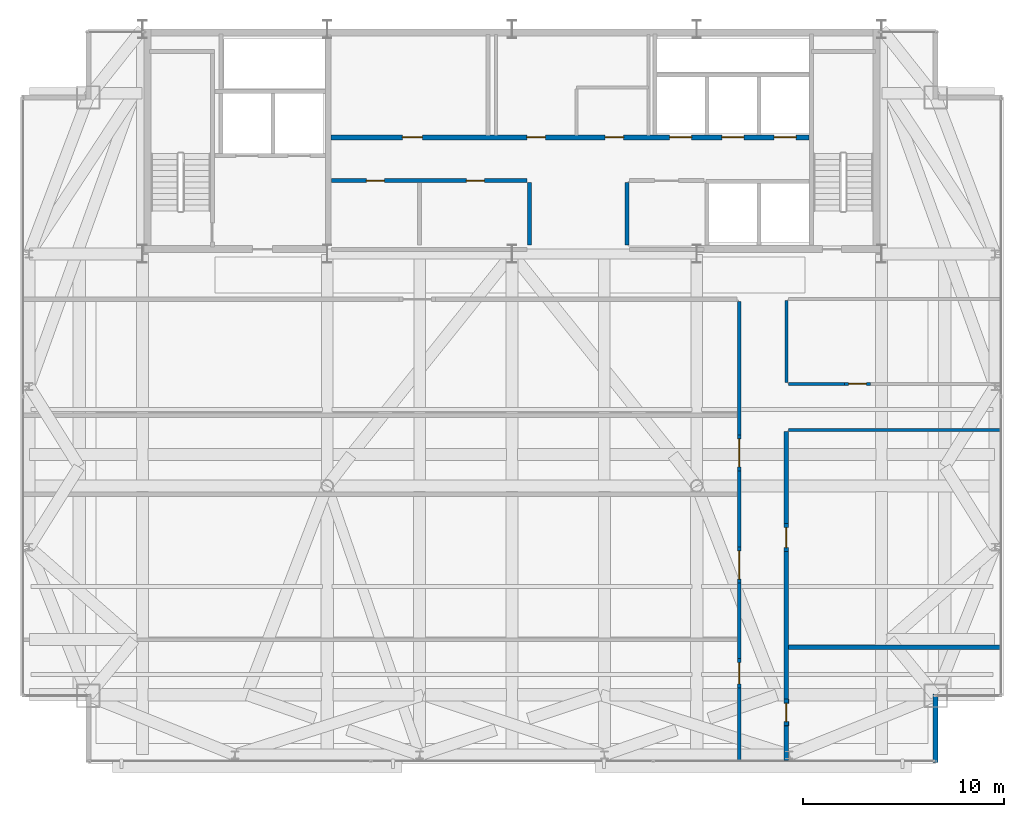
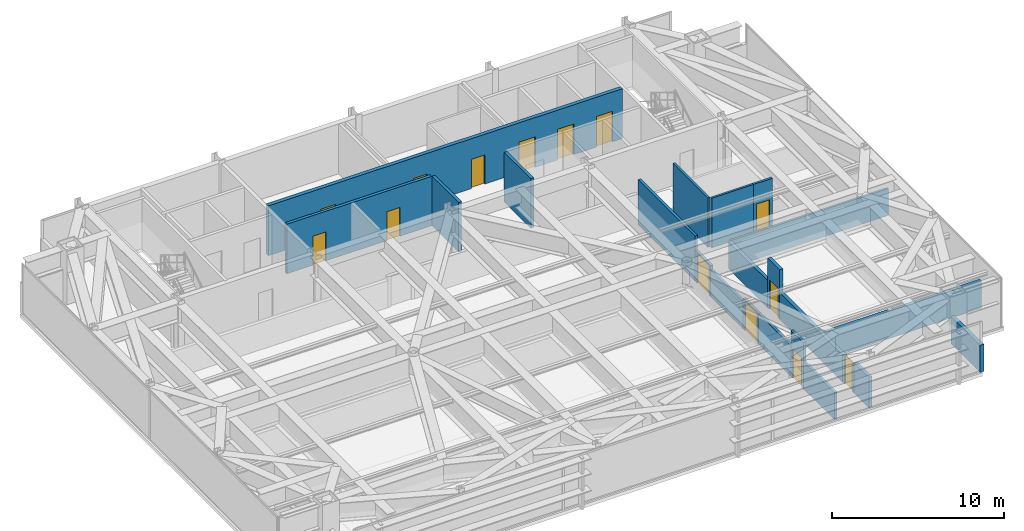
# One storey, part 21 of 23: 22 walls, 14 doors, 14 openings.
"""IFC4 building model written with IfcOpenShell, lengths in metres."""

from ifc_helpers import new_model, si_unit, direction, frame, frame_2d, origin, place, context, subcontext, project, spatial, rectangle, extrude, source, transform, mapped, material, layer, layer_set, type_object, type_shapes, element, fill, save


model = new_model("IFC4")

# Units and contexts
model_context = context("Model", 3, precision=1e-05, world=origin(), true_north=direction((0.0, 1.0)))
body_context = subcontext(model_context, "Body", "Model", "MODEL_VIEW")
ifc_project = project(units=[si_unit("LENGTHUNIT", "METRE"), si_unit("AREAUNIT", "SQUARE_METRE"), si_unit("VOLUMEUNIT", "CUBIC_METRE"), si_unit("PLANEANGLEUNIT", "RADIAN"), si_unit("MASSUNIT", "GRAM", prefix="KILO")], contexts=[model_context])

# Site, building, storey
site_placement = place(None, origin())
site = spatial("IfcSite", under=ifc_project, at=site_placement, CompositionType="ELEMENT")
building_placement = place(site_placement, origin())
building = spatial("IfcBuilding", under=site, at=building_placement, Name="Varnel Quay Broadcast Tower", CompositionType="ELEMENT")
storey_placement = place(building_placement, frame((0.0, 0.0, 254.60009765625)))
storey = spatial("IfcBuildingStorey", under=building, at=storey_placement, Name="L63", CompositionType="ELEMENT", Elevation=254.60009765625)

# Wall, openings, doors
ifc_material_1 = material(Name="Concrete CSA A23.3 C50/60", Category="concrete")
ifc_layer_1 = layer(ifc_material_1, 0.25, Name="Concrete CSA A23.3 C50/60")
ifc_layer_set_1 = layer_set([ifc_layer_1], Name="Concrete CSA A23.3 C50/60")
wall_type_1 = type_object("IfcWallType", Name="Wall_CoreShaftShear250", PredefinedType="SHEAR", material=ifc_layer_set_1)
wall_1_placement = place(storey_placement, frame((24.97998046875, 41.39990234375, 0.0), z_axis=(0.0, 0.0, 1.0), x_axis=(1.0, 0.0, 0.0)))
wall_1 = element("IfcWall", 1, at=wall_1_placement, inside=storey, type_object=wall_type_1, Name="L63 North Lift Bank & Reclaimed Suite Wall", PredefinedType="SHEAR", context=body_context, shape_type="SweptSolid", body=[
    extrude(rectangle(XDim=23.820068359375, YDim=0.25, at=frame_2d((11.91015625, 0.0))), origin(), (0.0, 0.0, 1.0), 3.5498046875),
])
opening_1_placement = place(wall_1_placement, frame((16.8701171875, 0.0, 0.0)))
opening_1 = element("IfcOpeningElement", 2, at=opening_1_placement, cuts=wall_1, Name="Opening LD-L63-PH-01", PredefinedType="OPENING", context=body_context, shape_type="SweptSolid", body=[
    extrude(rectangle(XDim=1.10009765625, YDim=2.179931640625, at=frame_2d((0.550048828125, 1.08984375))), frame((0.0, 0.135009765625, 0.0), z_axis=(0.0, -1.0, 0.0), x_axis=(1.0, 0.0, 0.0)), (0.0, 0.0, 1.0), 0.27001953125),
])
opening_2_placement = place(wall_1_placement, frame((19.469970703125, 0.0, 0.0)))
opening_2 = element("IfcOpeningElement", 3, at=opening_2_placement, cuts=wall_1, Name="Opening LD-L63-PH-02", PredefinedType="OPENING", context=body_context, shape_type="SweptSolid", body=[
    extrude(rectangle(XDim=1.10009765625, YDim=2.179931640625, at=frame_2d((0.550048828125, 1.08984375))), frame((0.0, 0.135009765625, 0.0), z_axis=(0.0, -1.0, 0.0), x_axis=(1.0, 0.0, 0.0)), (0.0, 0.0, 1.0), 0.27001953125),
])
opening_3_placement = place(wall_1_placement, frame((22.070068359375, 0.0, 0.0)))
opening_3 = element("IfcOpeningElement", 4, at=opening_3_placement, cuts=wall_1, Name="Opening LD-L63-PH-03", PredefinedType="OPENING", context=body_context, shape_type="SweptSolid", body=[
    extrude(rectangle(XDim=1.10009765625, YDim=2.179931640625, at=frame_2d((0.550048828125, 1.08984375))), frame((0.0, 0.135009765625, 0.0), z_axis=(0.0, -1.0, 0.0), x_axis=(1.0, 0.0, 0.0)), (0.0, 0.0, 1.0), 0.27001953125),
])
opening_4_placement = place(wall_1_placement, frame((3.56005859375, 0.0, 0.0)))
opening_4 = element("IfcOpeningElement", 5, at=opening_4_placement, cuts=wall_1, Name="Opening D-L63-RECA1", PredefinedType="OPENING", context=body_context, shape_type="SweptSolid", body=[
    extrude(rectangle(XDim=1.0, YDim=2.080078125, at=frame_2d((0.5, 1.0400390625))), frame((0.0, 0.135009765625, 0.0), z_axis=(0.0, -1.0, 0.0), x_axis=(1.0, 0.0, 0.0)), (0.0, 0.0, 1.0), 0.27001953125),
])
opening_5_placement = place(wall_1_placement, frame((9.760009765625, 0.0, 0.0)))
opening_5 = element("IfcOpeningElement", 6, at=opening_5_placement, cuts=wall_1, Name="Opening D-L63-RECB1", PredefinedType="OPENING", context=body_context, shape_type="SweptSolid", body=[
    extrude(rectangle(XDim=0.919921875, YDim=2.080078125, at=frame_2d((0.4599609375, 1.0400390625))), frame((0.0, 0.135009765625, 0.0), z_axis=(0.0, -1.0, 0.0), x_axis=(1.0, 0.0, 0.0)), (0.0, 0.0, 1.0), 0.27001953125),
])
opening_6_placement = place(wall_1_placement, frame((13.659912109375, 0.0, 0.0)))
opening_6 = element("IfcOpeningElement", 7, at=opening_6_placement, cuts=wall_1, Name="Opening D-L63-RECB2", PredefinedType="OPENING", context=body_context, shape_type="SweptSolid", body=[
    extrude(rectangle(XDim=0.919921875, YDim=2.080078125, at=frame_2d((0.4599609375, 1.0400390625))), frame((0.0, 0.135009765625, 0.0), z_axis=(0.0, -1.0, 0.0), x_axis=(1.0, 0.0, 0.0)), (0.0, 0.0, 1.0), 0.27001953125),
])
ifc_material_2 = material(Name="Brushed Bronze-Stainless Lift Car & Sliding Doors", Category="steel")
door_type_1 = type_object("IfcDoorType", Name="Door_LiftLanding1100", OperationType="SLIDING_TO_LEFT", PredefinedType="DOOR", material=ifc_material_2)
shared_shape_1 = source(origin(), body_context, "Body", "SweptSolid", [
    extrude(rectangle(XDim=1.10009765625, YDim=2.179931640625, at=frame_2d((0.550048828125, 1.08984375))), frame((0.0, 0.02490234375, 0.0), z_axis=(0.0, -1.0, 0.0), x_axis=(1.0, 0.0, 0.0)), (0.0, 0.0, 1.0), 0.050048828125),
])
type_shapes(door_type_1, [shared_shape_1])
door_1_placement = place(opening_1_placement, frame((1.10009765625, 0.0, 0.0), z_axis=(0.0, 0.0, 1.0), x_axis=(-1.0, 0.0, 0.0)))
door_1 = element("IfcDoor", 8, at=door_1_placement, inside=storey, type_object=door_type_1, Name="L63 Lift PH-01 Landing Door", OperationType="SLIDING_TO_LEFT", OverallHeight=2.179931640625, OverallWidth=1.10009765625, PredefinedType="DOOR", context=body_context, shape_type="MappedRepresentation", body=[
    mapped(shared_shape_1, transform((0.0, 0.0, 0.0), x_axis=(1.0, 0.0, 0.0), y_axis=(0.0, 1.0, 0.0), z_axis=(0.0, 0.0, 1.0), scale=1.0)),
])
fill(opening_1, door_1)
door_2_placement = place(opening_2_placement, frame((1.10009765625, 0.0, 0.0), z_axis=(0.0, 0.0, 1.0), x_axis=(-1.0, 0.0, 0.0)))
door_2 = element("IfcDoor", 9, at=door_2_placement, inside=storey, type_object=door_type_1, Name="L63 Lift PH-02 Landing Door", OperationType="SLIDING_TO_LEFT", OverallHeight=2.179931640625, OverallWidth=1.10009765625, PredefinedType="DOOR", context=body_context, shape_type="MappedRepresentation", body=[
    mapped(shared_shape_1, transform((0.0, 0.0, 0.0), x_axis=(1.0, 0.0, 0.0), y_axis=(0.0, 1.0, 0.0), z_axis=(0.0, 0.0, 1.0), scale=1.0)),
])
fill(opening_2, door_2)
door_3_placement = place(opening_3_placement, frame((1.10009765625, 0.0, 0.0), z_axis=(0.0, 0.0, 1.0), x_axis=(-1.0, 0.0, 0.0)))
door_3 = element("IfcDoor", 10, at=door_3_placement, inside=storey, type_object=door_type_1, Name="L63 Lift PH-03 Landing Door", OperationType="SLIDING_TO_LEFT", OverallHeight=2.179931640625, OverallWidth=1.10009765625, PredefinedType="DOOR", context=body_context, shape_type="MappedRepresentation", body=[
    mapped(shared_shape_1, transform((0.0, 0.0, 0.0), x_axis=(1.0, 0.0, 0.0), y_axis=(0.0, 1.0, 0.0), z_axis=(0.0, 0.0, 1.0), scale=1.0)),
])
fill(opening_3, door_3)
ifc_material_3 = material(Name="Insulated Fire-Rated Hollow Steel Door", Category="steel")
door_type_2 = type_object("IfcDoorType", Name="Door_FireLobby1000", OperationType="NOTDEFINED", PredefinedType="DOOR", material=ifc_material_3)
shared_shape_2 = source(origin(), body_context, "Body", "SweptSolid", [
    extrude(rectangle(XDim=1.0, YDim=2.080078125, at=frame_2d((0.5, 1.0400390625))), frame((0.0, 0.02490234375, 0.0), z_axis=(0.0, -1.0, 0.0), x_axis=(1.0, 0.0, 0.0)), (0.0, 0.0, 1.0), 0.050048828125),
])
type_shapes(door_type_2, [shared_shape_2])
door_4_placement = place(opening_4_placement, origin())
door_4 = element("IfcDoor", 11, at=door_4_placement, inside=storey, type_object=door_type_2, Name="L63 Broadcast Ingest Server Hall Door", OperationType="SINGLE_SWING_RIGHT", OverallHeight=2.080078125, OverallWidth=1.0, PredefinedType="DOOR", context=body_context, shape_type="MappedRepresentation", body=[
    mapped(shared_shape_2, transform((0.0, 0.0, 0.0), x_axis=(1.0, 0.0, 0.0), y_axis=(0.0, 1.0, 0.0), z_axis=(0.0, 0.0, 1.0), scale=1.0)),
])
fill(opening_4, door_4)
ifc_material_4 = material(Name="Solid-Core Fire-Rated Acoustic Oak Veneer Door", Category="wood")
door_type_3 = type_object("IfcDoorType", Name="Door_Office920", OperationType="NOTDEFINED", PredefinedType="DOOR", material=ifc_material_4)
shared_shape_3 = source(origin(), body_context, "Body", "SweptSolid", [
    extrude(rectangle(XDim=0.919921875, YDim=2.080078125, at=frame_2d((0.4599609375, 1.0400390625))), frame((0.0, 0.02490234375, 0.0), z_axis=(0.0, -1.0, 0.0), x_axis=(1.0, 0.0, 0.0)), (0.0, 0.0, 1.0), 0.050048828125),
])
door_5_placement = place(opening_5_placement, origin())
door_5 = element("IfcDoor", 12, at=door_5_placement, inside=storey, type_object=door_type_3, Name="L63 Acoustic Rack & Patch Suite Door", OperationType="SINGLE_SWING_LEFT", OverallHeight=2.080078125, OverallWidth=0.919921875, PredefinedType="DOOR", context=body_context, shape_type="MappedRepresentation", body=[
    mapped(shared_shape_3, transform((0.0, 0.0, 0.0), x_axis=(1.0, 0.0, 0.0), y_axis=(0.0, 1.0, 0.0), z_axis=(0.0, 0.0, 1.0), scale=1.0)),
])
fill(opening_5, door_5)
door_6_placement = place(opening_6_placement, origin())
door_6 = element("IfcDoor", 13, at=door_6_placement, inside=storey, type_object=door_type_3, Name="L63 Production Tea Pantry Door", OperationType="SINGLE_SWING_RIGHT", OverallHeight=2.080078125, OverallWidth=0.919921875, PredefinedType="DOOR", context=body_context, shape_type="MappedRepresentation", body=[
    mapped(shared_shape_3, transform((0.0, 0.0, 0.0), x_axis=(1.0, 0.0, 0.0), y_axis=(0.0, 1.0, 0.0), z_axis=(0.0, 0.0, 1.0), scale=1.0)),
])
fill(opening_6, door_6)

# Walls
ifc_material_5 = material(Name="Precast Architectural Concrete C40/50", Category="concrete")
ifc_layer_2 = layer(ifc_material_5, 0.25, Name="Precast Architectural Concrete C40/50")
ifc_layer_set_2 = layer_set([ifc_layer_2], Name="Precast Architectural Concrete C40/50")
wall_type_2 = type_object("IfcWallType", Name="Wall_ExtTerrace250", PredefinedType="SOLIDWALL", material=ifc_layer_set_2)
wall_2_placement = place(storey_placement, frame((55.10009765625, 10.280029296875, 0.0), z_axis=(0.0, 0.0, 1.0), x_axis=(0.0, 1.0, 0.0)))
element("IfcWall", 14, at=wall_2_placement, inside=storey, type_object=wall_type_2, Name="L63 Mega-Column Notch Cladding Wall NSE2", PredefinedType="SOLIDWALL", context=body_context, shape_type="SweptSolid", body=[
    extrude(rectangle(XDim=3.39990234375, YDim=0.25, at=frame_2d((1.699951171875, 0.0))), origin(), (0.0, 0.0, 1.0), 1.9248046875),
])
ifc_material_6 = material(Name="Concrete Blockwork Fire Enclosure C40/50", Category="masonry")
ifc_layer_3 = layer(ifc_material_6, 0.199951171875, Name="Concrete Blockwork Fire Enclosure C40/50")
ifc_layer_set_3 = layer_set([ifc_layer_3], Name="Concrete Blockwork Fire Enclosure C40/50")
wall_type_3 = type_object("IfcWallType", Name="Wall_FireShaft200", PredefinedType="SOLIDWALL", material=ifc_layer_set_3)
wall_3_placement = place(storey_placement, frame((39.72509765625, 36.050048828125, 0.0), z_axis=(0.0, 0.0, 1.0), x_axis=(0.0, 1.0, 0.0)))
element("IfcWall", 15, at=wall_3_placement, inside=storey, type_object=wall_type_3, Name="L63 Electrical Sub-Distribution Closet Partition 7", PredefinedType="SOLIDWALL", context=body_context, shape_type="SweptSolid", body=[
    extrude(rectangle(XDim=3.099853515625, YDim=0.199951171875, at=frame_2d((1.5498046875, 0.0))), origin(), (0.0, 0.0, 1.0), 3.52978515625),
])
ifc_material_7 = material(Name="Steel-Stud Fire-Rated Acoustic Gypsum Partition Assembly", Category="steel")
ifc_layer_4 = layer(ifc_material_7, 0.139892578125, Name="Steel-Stud Fire-Rated Acoustic Gypsum Partition Assembly")
ifc_layer_set_4 = layer_set([ifc_layer_4], Name="Steel-Stud Fire-Rated Acoustic Gypsum Partition Assembly")
wall_type_4 = type_object("IfcWallType", Name="Wall_Partition140", PredefinedType="PARTITIONING", material=ifc_layer_set_4)
wall_4_placement = place(storey_placement, frame((47.760009765625, 26.830078125, 0.0), z_axis=(0.0, 0.0, 1.0), x_axis=(1.0, 0.0, 0.0)))
element("IfcWall", 16, at=wall_4_placement, inside=storey, type_object=wall_type_4, Name="L63 Talent Lounge 6 Partition 27", PredefinedType="PARTITIONING", context=body_context, shape_type="SweptSolid", body=[
    extrude(rectangle(XDim=10.56005859375, YDim=0.139892578125, at=frame_2d((5.280029296875, 0.0))), origin(), (0.0, 0.0, 1.0), 1.9248046875),
])
ifc_layer_5 = layer(ifc_material_7, 0.14990234375, Name="Steel-Stud Fire-Rated Acoustic Gypsum Partition Assembly")
ifc_layer_set_5 = layer_set([ifc_layer_5], Name="Steel-Stud Fire-Rated Acoustic Gypsum Partition Assembly")
wall_type_5 = type_object("IfcWallType", Name="Wall_Partition150", PredefinedType="PARTITIONING", material=ifc_layer_set_5)
wall_5_placement = place(storey_placement, frame((47.760009765625, 29.1298828125, 0.0), z_axis=(0.0, 0.0, 1.0), x_axis=(1.0, 0.0, 0.0)))
element("IfcWall", 17, at=wall_5_placement, inside=storey, type_object=wall_type_5, Name="L63 Pantry Niche 7 Partition 28", PredefinedType="PARTITIONING", context=body_context, shape_type="SweptSolid", body=[
    extrude(rectangle(XDim=2.804931640625, YDim=0.14990234375, at=frame_2d((1.40234375, 0.0))), origin(), (0.0, 0.0, 1.0), 3.52978515625),
])

# Wall, opening, door
wall_6_placement = place(storey_placement, frame((50.56494140625, 29.1298828125, 0.0), z_axis=(0.0, 0.0, 1.0), x_axis=(1.0, 0.0, 0.0)))
wall_6 = element("IfcWall", 18, at=wall_6_placement, inside=storey, type_object=wall_type_5, Name="L63 Pantry Niche 7 Door Partition 29", PredefinedType="PARTITIONING", context=body_context, shape_type="SweptSolid", body=[
    extrude(rectangle(XDim=1.280029296875, YDim=0.14990234375, at=frame_2d((0.64013671875, 0.0))), origin(), (0.0, 0.0, 1.0), 3.52978515625),
])
opening_7_placement = place(wall_6_placement, frame((0.199951171875, 0.0, 0.0)))
opening_7 = element("IfcOpeningElement", 19, at=opening_7_placement, cuts=wall_6, Name="Opening D-L63-10", PredefinedType="OPENING", context=body_context, shape_type="SweptSolid", body=[
    extrude(rectangle(XDim=0.8798828125, YDim=2.06005859375, at=frame_2d((0.43994140625, 1.030029296875))), frame((0.0, 0.0849609375, 0.0), z_axis=(0.0, -1.0, 0.0), x_axis=(1.0, 0.0, 0.0)), (0.0, 0.0, 1.0), 0.169921875),
])
door_type_4 = type_object("IfcDoorType", Name="Door_Booth880", OperationType="NOTDEFINED", PredefinedType="DOOR", material=ifc_material_4)
shared_shape_4 = source(origin(), body_context, "Body", "SweptSolid", [
    extrude(rectangle(XDim=0.8798828125, YDim=2.06005859375, at=frame_2d((0.43994140625, 1.030029296875))), frame((0.0, 0.02490234375, 0.0), z_axis=(0.0, -1.0, 0.0), x_axis=(1.0, 0.0, 0.0)), (0.0, 0.0, 1.0), 0.050048828125),
])
type_shapes(door_type_4, [shared_shape_4])
door_7_placement = place(opening_7_placement, origin())
door_7 = element("IfcDoor", 20, at=door_7_placement, inside=storey, type_object=door_type_4, Name="L63 Pantry Niche 7 Door D-L63-10", OperationType="SINGLE_SWING_LEFT", OverallHeight=2.06005859375, OverallWidth=0.8798828125, PredefinedType="DOOR", context=body_context, shape_type="MappedRepresentation", body=[
    mapped(shared_shape_4, transform((0.0, 0.0, 0.0), x_axis=(1.0, 0.0, 0.0), y_axis=(0.0, 1.0, 0.0), z_axis=(0.0, 0.0, 1.0), scale=1.0)),
])
fill(opening_7, door_7)

# Walls
wall_7_placement = place(storey_placement, frame((47.659912109375, 29.205078125, 0.0), z_axis=(0.0, 0.0, 1.0), x_axis=(0.0, 1.0, 0.0)))
element("IfcWall", 21, at=wall_7_placement, inside=storey, type_object=wall_type_5, Name="L63 Pantry Niche 7 Partition 32", PredefinedType="PARTITIONING", context=body_context, shape_type="SweptSolid", body=[
    extrude(rectangle(XDim=4.06982421875, YDim=0.14990234375, at=frame_2d((2.034912109375, 0.0))), origin(), (0.0, 0.0, 1.0), 3.52978515625),
])
ifc_layer_6 = layer(ifc_material_7, 0.175048828125, Name="Steel-Stud Fire-Rated Acoustic Gypsum Partition Assembly")
ifc_layer_set_6 = layer_set([ifc_layer_6], Name="Steel-Stud Fire-Rated Acoustic Gypsum Partition Assembly")
wall_type_6 = type_object("IfcWallType", Name="Wall_Partition175", PredefinedType="PARTITIONING", material=ifc_layer_set_6)
wall_8_placement = place(storey_placement, frame((45.31005859375, 10.3798828125, 0.0), z_axis=(0.0, 0.0, 1.0), x_axis=(0.0, 1.0, 0.0)))
element("IfcWall", 22, at=wall_8_placement, inside=storey, type_object=wall_type_6, Name="L63 Broadcast Seminar Room 1 Partition 8", PredefinedType="PARTITIONING", context=body_context, shape_type="SweptSolid", body=[
    extrude(rectangle(XDim=3.615234375, YDim=0.175048828125, at=frame_2d((1.8076171875, 0.0))), origin(), (0.0, 0.0, 1.0), 1.9248046875),
])

# Wall, opening, door
wall_9_placement = place(storey_placement, frame((45.31005859375, 13.9951171875, 0.0), z_axis=(0.0, 0.0, 1.0), x_axis=(0.0, 1.0, 0.0)))
wall_9 = element("IfcWall", 23, at=wall_9_placement, inside=storey, type_object=wall_type_6, Name="L63 Broadcast Seminar Room 1 Door Partition 9", PredefinedType="PARTITIONING", context=body_context, shape_type="SweptSolid", body=[
    extrude(rectangle(XDim=1.449951171875, YDim=0.175048828125, at=frame_2d((0.72509765625, 0.0))), origin(), (0.0, 0.0, 1.0), 3.27783203125),
])
opening_8_placement = place(wall_9_placement, frame((0.199951171875, 0.0, 0.0)))
opening_8 = element("IfcOpeningElement", 24, at=opening_8_placement, cuts=wall_9, Name="Opening D-L63-04", PredefinedType="OPENING", context=body_context, shape_type="SweptSolid", body=[
    extrude(rectangle(XDim=1.050048828125, YDim=2.10009765625, at=frame_2d((0.52490234375, 1.050048828125))), frame((0.0, 0.09765625, 0.0), z_axis=(0.0, -1.0, 0.0), x_axis=(1.0, 0.0, 0.0)), (0.0, 0.0, 1.0), 0.195068359375),
])
door_type_5 = type_object("IfcDoorType", Name="Door_Meeting1050", OperationType="NOTDEFINED", PredefinedType="DOOR", material=ifc_material_4)
shared_shape_5 = source(origin(), body_context, "Body", "SweptSolid", [
    extrude(rectangle(XDim=1.050048828125, YDim=2.10009765625, at=frame_2d((0.52490234375, 1.050048828125))), frame((0.0, 0.02490234375, 0.0), z_axis=(0.0, -1.0, 0.0), x_axis=(1.0, 0.0, 0.0)), (0.0, 0.0, 1.0), 0.050048828125),
])
type_shapes(door_type_5, [shared_shape_5])
door_8_placement = place(opening_8_placement, origin())
door_8 = element("IfcDoor", 25, at=door_8_placement, inside=storey, type_object=door_type_5, Name="L63 Broadcast Seminar Room 1 Door D-L63-04", OperationType="SINGLE_SWING_RIGHT", OverallHeight=2.10009765625, OverallWidth=1.050048828125, PredefinedType="DOOR", context=body_context, shape_type="MappedRepresentation", body=[
    mapped(shared_shape_5, transform((0.0, 0.0, 0.0), x_axis=(1.0, 0.0, 0.0), y_axis=(0.0, 1.0, 0.0), z_axis=(0.0, 0.0, 1.0), scale=1.0)),
])
fill(opening_8, door_8)

# Wall
wall_10_placement = place(storey_placement, frame((45.31005859375, 15.445068359375, 0.0), z_axis=(0.0, 0.0, 1.0), x_axis=(0.0, 1.0, 0.0)))
element("IfcWall", 26, at=wall_10_placement, inside=storey, type_object=wall_type_6, Name="L63 Broadcast Seminar Room 1 Partition 10", PredefinedType="PARTITIONING", context=body_context, shape_type="SweptSolid", body=[
    extrude(rectangle(XDim=3.764892578125, YDim=0.175048828125, at=frame_2d((1.88232421875, 0.0))), origin(), (0.0, 0.0, 1.0), 2.19482421875),
])

# Wall, opening, door
wall_11_placement = place(storey_placement, frame((45.31005859375, 19.2099609375, 0.0), z_axis=(0.0, 0.0, 1.0), x_axis=(0.0, 1.0, 0.0)))
wall_11 = element("IfcWall", 27, at=wall_11_placement, inside=storey, type_object=wall_type_6, Name="L63 Podcast Recording Studio 2 Door Partition 11", PredefinedType="PARTITIONING", context=body_context, shape_type="SweptSolid", body=[
    extrude(rectangle(XDim=1.800048828125, YDim=0.175048828125, at=frame_2d((0.89990234375, 0.0))), origin(), (0.0, 0.0, 1.0), 2.19482421875),
])
opening_9_placement = place(wall_11_placement, frame((0.199951171875, 0.0, 0.0)))
opening_9 = element("IfcOpeningElement", 28, at=opening_9_placement, cuts=wall_11, Name="Opening D-L63-05", PredefinedType="OPENING", context=body_context, shape_type="SweptSolid", body=[
    extrude(rectangle(XDim=1.39990234375, YDim=2.1201171875, at=frame_2d((0.699951171875, 1.06005859375))), frame((0.0, 0.09765625, 0.0), z_axis=(0.0, -1.0, 0.0), x_axis=(1.0, 0.0, 0.0)), (0.0, 0.0, 1.0), 0.195068359375),
])
door_type_6 = type_object("IfcDoorType", Name="Door_Gallery1400", OperationType="DOUBLE_DOOR_SINGLE_SWING", PredefinedType="DOOR", material=ifc_material_4)
shared_shape_6 = source(origin(), body_context, "Body", "SweptSolid", [
    extrude(rectangle(XDim=1.39990234375, YDim=2.1201171875, at=frame_2d((0.699951171875, 1.06005859375))), frame((0.0, 0.02490234375, 0.0), z_axis=(0.0, -1.0, 0.0), x_axis=(1.0, 0.0, 0.0)), (0.0, 0.0, 1.0), 0.050048828125),
])
type_shapes(door_type_6, [shared_shape_6])
door_9_placement = place(opening_9_placement, origin())
door_9 = element("IfcDoor", 29, at=door_9_placement, inside=storey, type_object=door_type_6, Name="L63 Podcast Recording Studio 2 Door D-L63-05", OperationType="DOUBLE_DOOR_SINGLE_SWING", OverallHeight=2.1201171875, OverallWidth=1.39990234375, PredefinedType="DOOR", context=body_context, shape_type="MappedRepresentation", body=[
    mapped(shared_shape_6, transform((0.0, 0.0, 0.0), x_axis=(1.0, 0.0, 0.0), y_axis=(0.0, 1.0, 0.0), z_axis=(0.0, 0.0, 1.0), scale=1.0)),
])
fill(opening_9, door_9)

# Wall
wall_12_placement = place(storey_placement, frame((45.31005859375, 21.010009765625, 0.0), z_axis=(0.0, 0.0, 1.0), x_axis=(0.0, 1.0, 0.0)))
element("IfcWall", 30, at=wall_12_placement, inside=storey, type_object=wall_type_6, Name="L63 Broadcast Seminar Room 1 Partition 12", PredefinedType="PARTITIONING", context=body_context, shape_type="SweptSolid", body=[
    extrude(rectangle(XDim=3.784912109375, YDim=0.175048828125, at=frame_2d((1.892578125, 0.0))), origin(), (0.0, 0.0, 1.0), 1.9248046875),
])

# Wall, opening, door
wall_13_placement = place(storey_placement, frame((45.31005859375, 24.794921875, 0.0), z_axis=(0.0, 0.0, 1.0), x_axis=(0.0, 1.0, 0.0)))
wall_13 = element("IfcWall", 31, at=wall_13_placement, inside=storey, type_object=wall_type_6, Name="L63 Foley Sound Studio 3 Door Partition 13", PredefinedType="PARTITIONING", context=body_context, shape_type="SweptSolid", body=[
    extrude(rectangle(XDim=1.800048828125, YDim=0.175048828125, at=frame_2d((0.89990234375, 0.0))), origin(), (0.0, 0.0, 1.0), 2.19482421875),
])
opening_10_placement = place(wall_13_placement, frame((0.199951171875, 0.0, 0.0)))
opening_10 = element("IfcOpeningElement", 32, at=opening_10_placement, cuts=wall_13, Name="Opening D-L63-06", PredefinedType="OPENING", context=body_context, shape_type="SweptSolid", body=[
    extrude(rectangle(XDim=1.39990234375, YDim=2.1201171875, at=frame_2d((0.699951171875, 1.06005859375))), frame((0.0, 0.09765625, 0.0), z_axis=(0.0, -1.0, 0.0), x_axis=(1.0, 0.0, 0.0)), (0.0, 0.0, 1.0), 0.195068359375),
])
door_10_placement = place(opening_10_placement, origin())
door_10 = element("IfcDoor", 33, at=door_10_placement, inside=storey, type_object=door_type_6, Name="L63 Foley Sound Studio 3 Door D-L63-06", OperationType="DOUBLE_DOOR_SINGLE_SWING", OverallHeight=2.1201171875, OverallWidth=1.39990234375, PredefinedType="DOOR", context=body_context, shape_type="MappedRepresentation", body=[
    mapped(shared_shape_6, transform((0.0, 0.0, 0.0), x_axis=(1.0, 0.0, 0.0), y_axis=(0.0, 1.0, 0.0), z_axis=(0.0, 0.0, 1.0), scale=1.0)),
])
fill(opening_10, door_10)

# Walls
wall_14_placement = place(storey_placement, frame((45.31005859375, 26.594970703125, 0.0), z_axis=(0.0, 0.0, 1.0), x_axis=(0.0, 1.0, 0.0)))
element("IfcWall", 34, at=wall_14_placement, inside=storey, type_object=wall_type_6, Name="L63 Broadcast Seminar Room 1 Partition 14", PredefinedType="PARTITIONING", context=body_context, shape_type="SweptSolid", body=[
    extrude(rectangle(XDim=6.64306640625, YDim=0.175048828125, at=frame_2d((3.321533203125, 0.0))), origin(), (0.0, 0.0, 1.0), 3.221923828125),
])
ifc_layer_7 = layer(ifc_material_7, 0.22509765625, Name="Steel-Stud Fire-Rated Acoustic Gypsum Partition Assembly")
ifc_layer_set_7 = layer_set([ifc_layer_7], Name="Steel-Stud Fire-Rated Acoustic Gypsum Partition Assembly")
wall_type_7 = type_object("IfcWallType", Name="Wall_Partition225", PredefinedType="PARTITIONING", material=ifc_layer_set_7)
wall_15_placement = place(storey_placement, frame((47.760009765625, 16.02001953125, 0.0), z_axis=(0.0, 0.0, 1.0), x_axis=(1.0, 0.0, 0.0)))
element("IfcWall", 35, at=wall_15_placement, inside=storey, type_object=wall_type_7, Name="L63 Audio Control Room 5 Partition 21", PredefinedType="PARTITIONING", context=body_context, shape_type="SweptSolid", body=[
    extrude(rectangle(XDim=10.56005859375, YDim=0.22509765625, at=frame_2d((5.280029296875, 0.0))), origin(), (0.0, 0.0, 1.0), 1.9248046875),
])
wall_16_placement = place(storey_placement, frame((47.659912109375, 10.3798828125, 0.0), z_axis=(0.0, 0.0, 1.0), x_axis=(0.0, 1.0, 0.0)))
element("IfcWall", 36, at=wall_16_placement, inside=storey, type_object=wall_type_7, Name="L63 Audio Control Room 5 Partition 22", PredefinedType="PARTITIONING", context=body_context, shape_type="SweptSolid", body=[
    extrude(rectangle(XDim=1.735107421875, YDim=0.22509765625, at=frame_2d((0.86767578125, 0.0))), origin(), (0.0, 0.0, 1.0), 2.19482421875),
])

# Wall, opening, door
wall_17_placement = place(storey_placement, frame((47.659912109375, 12.114990234375, 0.0), z_axis=(0.0, 0.0, 1.0), x_axis=(0.0, 1.0, 0.0)))
wall_17 = element("IfcWall", 37, at=wall_17_placement, inside=storey, type_object=wall_type_7, Name="L63 Audio Control Room 5 Door Partition 23", PredefinedType="PARTITIONING", context=body_context, shape_type="SweptSolid", body=[
    extrude(rectangle(XDim=1.320068359375, YDim=0.22509765625, at=frame_2d((0.66015625, 0.0))), origin(), (0.0, 0.0, 1.0), 1.9248046875),
])
opening_11_placement = place(wall_17_placement, frame((0.199951171875, 0.0, 0.0)))
opening_11 = element("IfcOpeningElement", 38, at=opening_11_placement, cuts=wall_17, Name="Opening D-L63-08", PredefinedType="OPENING", context=body_context, shape_type="SweptSolid", body=[
    extrude(rectangle(XDim=0.919921875, YDim=2.0, at=frame_2d((0.4599609375, 1.0))), frame((0.0, 0.12255859375, 0.0), z_axis=(0.0, -1.0, 0.0), x_axis=(1.0, 0.0, 0.0)), (0.0, 0.0, 1.0), 0.2451171875),
])
shared_shape_7 = source(origin(), body_context, "Body", "SweptSolid", [
    extrude(rectangle(XDim=0.919921875, YDim=2.0, at=frame_2d((0.4599609375, 1.0))), frame((0.0, 0.02490234375, 0.0), z_axis=(0.0, -1.0, 0.0), x_axis=(1.0, 0.0, 0.0)), (0.0, 0.0, 1.0), 0.050048828125),
])
type_shapes(door_type_3, [shared_shape_3, shared_shape_7])
door_11_placement = place(opening_11_placement, frame((0.919921875, 0.0, 0.0), z_axis=(0.0, 0.0, 1.0), x_axis=(-1.0, 0.0, 0.0)))
door_11 = element("IfcDoor", 39, at=door_11_placement, inside=storey, type_object=door_type_3, Name="L63 Audio Control Room 5 Door D-L63-08", OperationType="SINGLE_SWING_LEFT", OverallHeight=2.0, OverallWidth=0.919921875, PredefinedType="DOOR", context=body_context, shape_type="MappedRepresentation", body=[
    mapped(shared_shape_7, transform((0.0, 0.0, 0.0), x_axis=(1.0, 0.0, 0.0), y_axis=(0.0, 1.0, 0.0), z_axis=(0.0, 0.0, 1.0), scale=1.0)),
])
fill(opening_11, door_11)

# Wall
wall_18_placement = place(storey_placement, frame((47.659912109375, 13.43505859375, 0.0), z_axis=(0.0, 0.0, 1.0), x_axis=(0.0, 1.0, 0.0)))
element("IfcWall", 40, at=wall_18_placement, inside=storey, type_object=wall_type_7, Name="L63 Audio Control Room 5 Partition 24", PredefinedType="PARTITIONING", context=body_context, shape_type="SweptSolid", body=[
    extrude(rectangle(XDim=7.33984375, YDim=0.22509765625, at=frame_2d((3.669921875, 0.0))), origin(), (0.0, 0.0, 1.0), 1.9248046875),
])

# Wall, opening, door
wall_19_placement = place(storey_placement, frame((47.659912109375, 20.77490234375, 0.0), z_axis=(0.0, 0.0, 1.0), x_axis=(0.0, 1.0, 0.0)))
wall_19 = element("IfcWall", 41, at=wall_19_placement, inside=storey, type_object=wall_type_7, Name="L63 Talent Lounge 6 Door Partition 25", PredefinedType="PARTITIONING", context=body_context, shape_type="SweptSolid", body=[
    extrude(rectangle(XDim=1.400146484375, YDim=0.22509765625, at=frame_2d((0.7001953125, 0.0))), origin(), (0.0, 0.0, 1.0), 3.52978515625),
])
opening_12_placement = place(wall_19_placement, frame((0.199951171875, 0.0, 0.0)))
opening_12 = element("IfcOpeningElement", 42, at=opening_12_placement, cuts=wall_19, Name="Opening D-L63-09", PredefinedType="OPENING", context=body_context, shape_type="SweptSolid", body=[
    extrude(rectangle(XDim=1.0, YDim=2.10009765625, at=frame_2d((0.5, 1.050048828125))), frame((0.0, 0.12255859375, 0.0), z_axis=(0.0, -1.0, 0.0), x_axis=(1.0, 0.0, 0.0)), (0.0, 0.0, 1.0), 0.2451171875),
])
door_type_7 = type_object("IfcDoorType", Name="Door_Exec1000", OperationType="NOTDEFINED", PredefinedType="DOOR", material=ifc_material_4)
shared_shape_8 = source(origin(), body_context, "Body", "SweptSolid", [
    extrude(rectangle(XDim=1.0, YDim=2.10009765625, at=frame_2d((0.5, 1.050048828125))), frame((0.0, 0.02490234375, 0.0), z_axis=(0.0, -1.0, 0.0), x_axis=(1.0, 0.0, 0.0)), (0.0, 0.0, 1.0), 0.050048828125),
])
type_shapes(door_type_7, [shared_shape_8])
door_12_placement = place(opening_12_placement, frame((1.0, 0.0, 0.0), z_axis=(0.0, 0.0, 1.0), x_axis=(-1.0, 0.0, 0.0)))
door_12 = element("IfcDoor", 43, at=door_12_placement, inside=storey, type_object=door_type_7, Name="L63 Talent Lounge 6 Door D-L63-09", OperationType="SINGLE_SWING_RIGHT", OverallHeight=2.10009765625, OverallWidth=1.0, PredefinedType="DOOR", context=body_context, shape_type="MappedRepresentation", body=[
    mapped(shared_shape_8, transform((0.0, 0.0, 0.0), x_axis=(1.0, 0.0, 0.0), y_axis=(0.0, 1.0, 0.0), z_axis=(0.0, 0.0, 1.0), scale=1.0)),
])
fill(opening_12, door_12)

# Wall
wall_20_placement = place(storey_placement, frame((47.659912109375, 22.175048828125, 0.0), z_axis=(0.0, 0.0, 1.0), x_axis=(0.0, 1.0, 0.0)))
element("IfcWall", 44, at=wall_20_placement, inside=storey, type_object=wall_type_7, Name="L63 Audio Control Room 5 Partition 26", PredefinedType="PARTITIONING", context=body_context, shape_type="SweptSolid", body=[
    extrude(rectangle(XDim=4.5849609375, YDim=0.22509765625, at=frame_2d((2.29248046875, 0.0))), origin(), (0.0, 0.0, 1.0), 1.9248046875),
])

# Wall, openings, doors
ifc_material_8 = material(Name="Fire-Rated Moisture-Resistant Plumbing Chase Partition")
ifc_layer_8 = layer(ifc_material_8, 0.199951171875, Name="Fire-Rated Moisture-Resistant Plumbing Chase Partition")
ifc_layer_set_8 = layer_set([ifc_layer_8], Name="Fire-Rated Moisture-Resistant Plumbing Chase Partition")
wall_type_8 = type_object("IfcWallType", Name="Wall_Plumbing200", PredefinedType="PLUMBINGWALL", material=ifc_layer_set_8)
wall_21_placement = place(storey_placement, frame((25.0, 39.25, 0.0), z_axis=(0.0, 0.0, 1.0), x_axis=(1.0, 0.0, 0.0)))
wall_21 = element("IfcWall", 45, at=wall_21_placement, inside=storey, type_object=wall_type_8, Name="L63 Accessible Washroom Partition 3", PredefinedType="PLUMBINGWALL", context=body_context, shape_type="SweptSolid", body=[
    extrude(rectangle(XDim=9.75, YDim=0.199951171875, at=frame_2d((4.875, 0.0))), origin(), (0.0, 0.0, 1.0), 3.52978515625),
])
opening_13_placement = place(wall_21_placement, frame((1.75, 0.0, 0.0)))
opening_13 = element("IfcOpeningElement", 46, at=opening_13_placement, cuts=wall_21, Name="Opening D-L63-01", PredefinedType="OPENING", context=body_context, shape_type="SweptSolid", body=[
    extrude(rectangle(XDim=0.89990234375, YDim=2.06005859375, at=frame_2d((0.449951171875, 1.030029296875))), frame((0.0, 0.10986328125, 0.0), z_axis=(0.0, -1.0, 0.0), x_axis=(1.0, 0.0, 0.0)), (0.0, 0.0, 1.0), 0.219970703125),
])
opening_14_placement = place(wall_21_placement, frame((6.72509765625, 0.0, 0.0)))
opening_14 = element("IfcOpeningElement", 47, at=opening_14_placement, cuts=wall_21, Name="Opening D-L63-02", PredefinedType="OPENING", context=body_context, shape_type="SweptSolid", body=[
    extrude(rectangle(XDim=0.89990234375, YDim=2.06005859375, at=frame_2d((0.449951171875, 1.030029296875))), frame((0.0, 0.10986328125, 0.0), z_axis=(0.0, -1.0, 0.0), x_axis=(1.0, 0.0, 0.0)), (0.0, 0.0, 1.0), 0.219970703125),
])
door_type_8 = type_object("IfcDoorType", Name="Door_Washroom900", OperationType="NOTDEFINED", PredefinedType="DOOR", material=ifc_material_4)
shared_shape_9 = source(origin(), body_context, "Body", "SweptSolid", [
    extrude(rectangle(XDim=0.89990234375, YDim=2.06005859375, at=frame_2d((0.449951171875, 1.030029296875))), frame((0.0, 0.02490234375, 0.0), z_axis=(0.0, -1.0, 0.0), x_axis=(1.0, 0.0, 0.0)), (0.0, 0.0, 1.0), 0.050048828125),
])
type_shapes(door_type_8, [shared_shape_9])
door_13_placement = place(opening_13_placement, frame((0.89990234375, 0.0, 0.0), z_axis=(0.0, 0.0, 1.0), x_axis=(-1.0, 0.0, 0.0)))
door_13 = element("IfcDoor", 48, at=door_13_placement, inside=storey, type_object=door_type_8, Name="L63 Accessible Washroom Door D-L63-01", OperationType="SINGLE_SWING_LEFT", OverallHeight=2.06005859375, OverallWidth=0.89990234375, PredefinedType="DOOR", context=body_context, shape_type="MappedRepresentation", body=[
    mapped(shared_shape_9, transform((0.0, 0.0, 0.0), x_axis=(1.0, 0.0, 0.0), y_axis=(0.0, 1.0, 0.0), z_axis=(0.0, 0.0, 1.0), scale=1.0)),
])
fill(opening_13, door_13)
door_14_placement = place(opening_14_placement, frame((0.89990234375, 0.0, 0.0), z_axis=(0.0, 0.0, 1.0), x_axis=(-1.0, 0.0, 0.0)))
door_14 = element("IfcDoor", 49, at=door_14_placement, inside=storey, type_object=door_type_8, Name="L63 Staff Washrooms Door D-L63-02", OperationType="SINGLE_SWING_RIGHT", OverallHeight=2.06005859375, OverallWidth=0.89990234375, PredefinedType="DOOR", context=body_context, shape_type="MappedRepresentation", body=[
    mapped(shared_shape_9, transform((0.0, 0.0, 0.0), x_axis=(1.0, 0.0, 0.0), y_axis=(0.0, 1.0, 0.0), z_axis=(0.0, 0.0, 1.0), scale=1.0)),
])
fill(opening_14, door_14)

# Wall
wall_22_placement = place(storey_placement, frame((34.875, 36.050048828125, 0.0), z_axis=(0.0, 0.0, 1.0), x_axis=(0.0, 1.0, 0.0)))
element("IfcWall", 50, at=wall_22_placement, inside=storey, type_object=wall_type_8, Name="L63 Staff Washrooms Partition 4", PredefinedType="PLUMBINGWALL", context=body_context, shape_type="SweptSolid", body=[
    extrude(rectangle(XDim=3.099853515625, YDim=0.199951171875, at=frame_2d((1.5498046875, 0.0))), origin(), (0.0, 0.0, 1.0), 3.52978515625),
])

save(model, "model.ifc")
